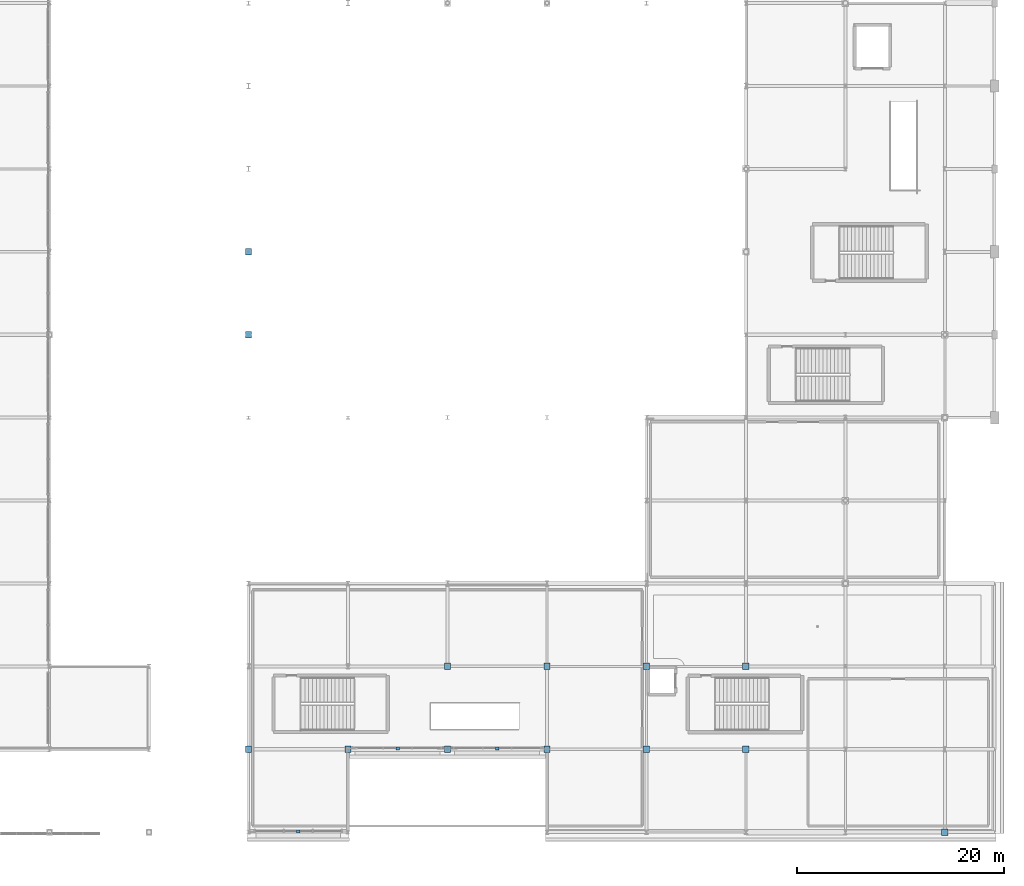
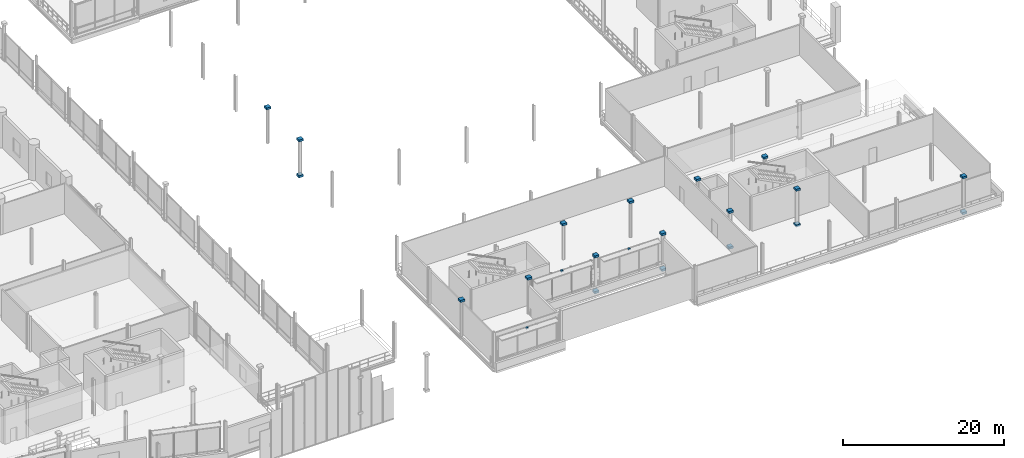
# One storey, part 95 of 129: 22 discrete accessories.
"""IFC4 building model written with IfcOpenShell, lengths in metres."""

from ifc_helpers import new_model, si_unit, direction, frame, origin, origin_2d, place, context, subcontext, project, spatial, rectangle, extrude, material, type_object, element, save


model = new_model("IFC4")

# Units and contexts
model_context = context("Model", 3, precision=1e-05, world=origin(), true_north=direction((0.0, 1.0)))
body_context = subcontext(model_context, "Body", "Model", "MODEL_VIEW")
ifc_project = project(units=[si_unit("LENGTHUNIT", "METRE"), si_unit("AREAUNIT", "SQUARE_METRE"), si_unit("VOLUMEUNIT", "CUBIC_METRE"), si_unit("PLANEANGLEUNIT", "RADIAN"), si_unit("MASSUNIT", "GRAM", prefix="KILO")], contexts=[model_context])

# Site, building, storey
site_placement = place(None, origin())
site = spatial("IfcSite", under=ifc_project, at=site_placement, CompositionType="ELEMENT")
building_placement = place(site_placement, origin())
building = spatial("IfcBuilding", under=site, at=building_placement, Name="Danafjord Basin Convention Centre", CompositionType="ELEMENT")
storey_placement = place(building_placement, frame((0.0, 0.0, 6.0)))
storey = spatial("IfcBuildingStorey", under=building, at=storey_placement, Name="L01", CompositionType="ELEMENT", Elevation=6.0)

# Discrete accessories
ifc_material_1 = material(Name="Stainless steel EN 1.4404", Category="steel")
discrete_accessory_type_1 = type_object("IfcDiscreteAccessoryType", Name="ACC-FIN-BRK", PredefinedType="BRACKET", material=ifc_material_1)
for number, where, z_axis, x_axis, name in (
    (1, (148.800048828125, 0.070068359375, 4.18017578125), (0.0, 0.0, 1.0), (1.0, 0.0, 0.0), "Sunshade tie-back bracket"),
    (2, (158.39990234375, 8.070068359375, 4.580078125), (0.0, 0.0, 1.0), (1.0, 0.0, 0.0), "Sunshade tie-back bracket"),
    (3, (168.0, 8.070068359375, 4.52978515625), (0.0, 0.0, 1.0), (1.0, 0.0, 0.0), "Sunshade tie-back bracket"),
):
    element("IfcDiscreteAccessory", number, at=place(storey_placement, frame(where, z_axis=z_axis, x_axis=x_axis)), inside=storey, type_object=discrete_accessory_type_1, Name=name, PredefinedType="BRACKET", context=body_context, shape_type="SweptSolid", body=[
        extrude(rectangle(XDim=0.340087890625, YDim=0.260009765625, at=origin_2d()), origin(), (0.0, 0.0, 1.0), 0.219970703125),
    ])
ifc_material_2 = material(Name="Steel S355", Category="steel")
discrete_accessory_type_2 = type_object("IfcDiscreteAccessoryType", Name="ACC-SF-HUB", PredefinedType="BRACKET", material=ifc_material_2)
for number, where, z_axis, x_axis, name in (
    (4, (144.0, 8.0, 5.23974609375), (0.0, 0.0, 1.0), (1.0, 0.0, 0.0), "Tubular steel column top cap plate"),
    (5, (144.0, 48.0, -0.16015625), (0.0, 0.0, 1.0), (1.0, 0.0, 0.0), "Tubular steel column transition collar"),
    (6, (144.0, 48.0, 5.23974609375), (0.0, 0.0, 1.0), (1.0, 0.0, 0.0), "Tubular steel column top cap plate"),
    (7, (144.0, 56.0, 5.23974609375), (0.0, 0.0, 1.0), (1.0, 0.0, 0.0), "Tubular steel column top cap plate"),
    (8, (153.60009765625, 8.0, 5.23974609375), (0.0, 0.0, 1.0), (1.0, 0.0, 0.0), "Tubular steel column top cap plate"),
    (9, (163.199951171875, 8.0, -0.16015625), (0.0, 0.0, 1.0), (1.0, 0.0, 0.0), "Tubular steel column transition collar"),
    (10, (163.199951171875, 8.0, 5.23974609375), (0.0, 0.0, 1.0), (1.0, 0.0, 0.0), "Tubular steel column top cap plate"),
    (11, (163.199951171875, 16.0, 5.23974609375), (0.0, 0.0, 1.0), (1.0, 0.0, 0.0), "Tubular steel column top cap plate"),
    (12, (172.800048828125, 8.0, -0.16015625), (0.0, 0.0, 1.0), (1.0, 0.0, 0.0), "Tubular steel column transition collar"),
    (13, (172.800048828125, 8.0, 5.23974609375), (0.0, 0.0, 1.0), (1.0, 0.0, 0.0), "Tubular steel column top cap plate"),
    (14, (172.800048828125, 16.0, 5.23974609375), (0.0, 0.0, 1.0), (1.0, 0.0, 0.0), "Tubular steel column top cap plate"),
    (15, (182.39990234375, 8.0, -0.16015625), (0.0, 0.0, 1.0), (1.0, 0.0, 0.0), "Tubular steel column transition collar"),
    (16, (182.39990234375, 8.0, 5.23974609375), (0.0, 0.0, 1.0), (1.0, 0.0, 0.0), "Tubular steel column top cap plate"),
    (17, (182.39990234375, 16.0, 5.23974609375), (0.0, 0.0, 1.0), (1.0, 0.0, 0.0), "Tubular steel column top cap plate"),
    (18, (192.0, 8.0, -0.16015625), (0.0, 0.0, 1.0), (1.0, 0.0, 0.0), "Tubular steel column transition collar"),
    (19, (192.0, 8.0, 5.23974609375), (0.0, 0.0, 1.0), (1.0, 0.0, 0.0), "Tubular steel column top cap plate"),
    (20, (192.0, 16.0, 5.23974609375), (0.0, 0.0, 1.0), (1.0, 0.0, 0.0), "Tubular steel column top cap plate"),
    (21, (211.199951171875, 0.0, -0.16015625), (0.0, 0.0, 1.0), (1.0, 0.0, 0.0), "Tubular steel column transition collar"),
    (22, (211.199951171875, 0.0, 5.23974609375), (0.0, 0.0, 1.0), (1.0, 0.0, 0.0), "Tubular steel column top cap plate"),
):
    element("IfcDiscreteAccessory", number, at=place(storey_placement, frame(where, z_axis=z_axis, x_axis=x_axis)), inside=storey, type_object=discrete_accessory_type_2, Name=name, PredefinedType="BRACKET", context=body_context, shape_type="SweptSolid", body=[
        extrude(rectangle(XDim=0.6201171875, YDim=0.6201171875, at=origin_2d()), origin(), (0.0, 0.0, 1.0), 0.320068359375),
    ])

save(model, "model.ifc")
